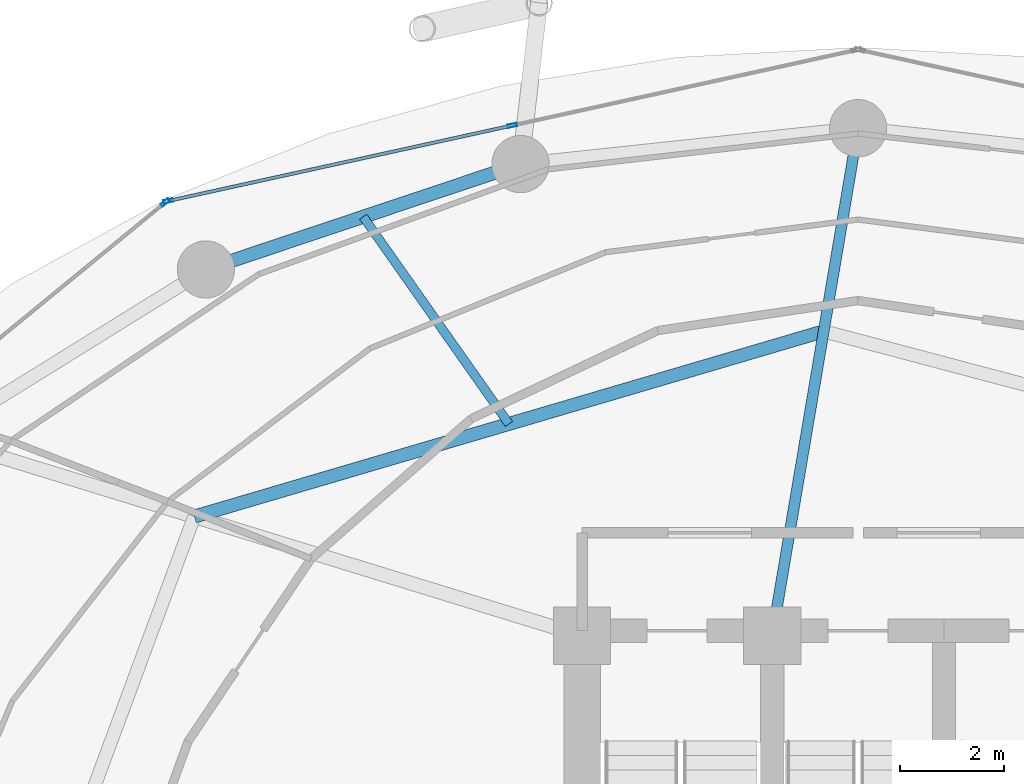
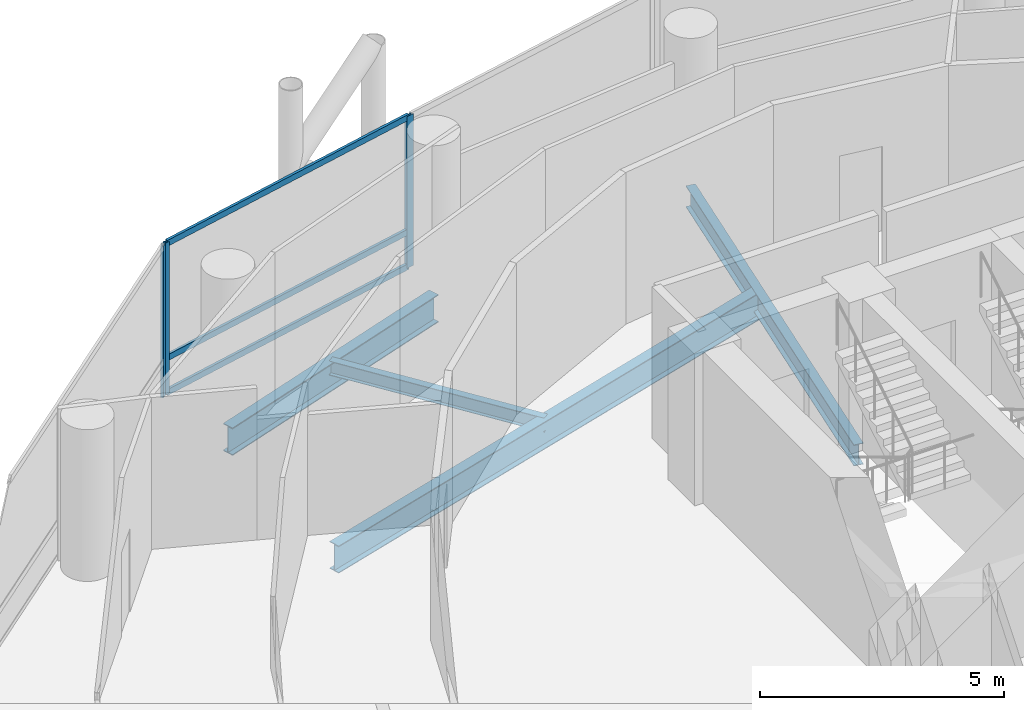
# One storey, part 15 of 26: 6 members, 4 beams, 2 elements without a shape of their own.
"""IFC4 building model written with IfcOpenShell, lengths in metres."""

from ifc_helpers import new_model, si_unit, direction, frame, origin, origin_2d, place, context, subcontext, project, spatial, hollow_rectangle, i_section, extrude, material, layer, layer_set, material_profile, profile_set, type_object, element, aggregate, save


model = new_model("IFC4")

# Units and contexts
model_context = context("Model", 3, precision=1e-05, world=origin(), true_north=direction((0.0, 1.0)))
body_context = subcontext(model_context, "Body", "Model", "MODEL_VIEW")
ifc_project = project(units=[si_unit("LENGTHUNIT", "METRE"), si_unit("AREAUNIT", "SQUARE_METRE"), si_unit("VOLUMEUNIT", "CUBIC_METRE"), si_unit("PLANEANGLEUNIT", "RADIAN"), si_unit("MASSUNIT", "GRAM", prefix="KILO")], contexts=[model_context])

# Site, building, storey
site_placement = place(None, origin())
site = spatial("IfcSite", under=ifc_project, at=site_placement, CompositionType="ELEMENT")
building_placement = place(site_placement, origin())
building = spatial("IfcBuilding", under=site, at=building_placement, Name="Nuhasar Tower", CompositionType="ELEMENT")
storey_placement = place(building_placement, frame((0.0, 0.0, 93.89990234375)))
storey = spatial("IfcBuildingStorey", under=building, at=storey_placement, Name="L22", CompositionType="ELEMENT", Elevation=93.89990234375)

# Beams
ifc_material_1 = material(Name="Steel S355", Category="steel")
ifc_material_profile_1 = material_profile(ifc_material_1, i_section(OverallWidth=0.25390625, OverallDepth=0.68408203125, WebThickness=0.012451171875, FlangeThickness=0.018798828125, at=origin_2d()), Name="W27X94")
ifc_profile_set_1 = profile_set([ifc_material_profile_1], Name="Steel S355")
beam_type_1 = type_object("IfcBeamType", Name="BM-INRING-W27X94", PredefinedType="BEAM", material=ifc_profile_set_1)
beam_1_placement = place(storey_placement, frame((38.340087890625, 43.14990234375, -0.591796875), z_axis=(-0.959290190666, -0.28242225495, 0.0), x_axis=(0.28242225495, -0.959290190666, 0.0)))
element("IfcBeam", 1, at=beam_1_placement, inside=storey, type_object=beam_type_1, Name="L22 Inner Header Beam 06", PredefinedType="BEAM", context=body_context, shape_type="SweptSolid", body=[
    extrude(i_section(OverallWidth=0.25390625, OverallDepth=0.68408203125, WebThickness=0.012451171875, FlangeThickness=0.018798828125, at=origin_2d()), origin(), (0.0, 0.0, 1.0), 12.60107421875),
])
ifc_material_profile_2 = material_profile(ifc_material_1, i_section(OverallWidth=0.1708984375, OverallDepth=0.35205078125, WebThickness=0.0068359375, FlangeThickness=0.009765625, at=origin_2d()), Name="W14X30")
ifc_profile_set_2 = profile_set([ifc_material_profile_2], Name="Steel S355")
beam_type_2 = type_object("IfcBeamType", Name="BM-JST-W14X30", PredefinedType="JOIST", material=ifc_profile_set_2)
beam_2_placement = place(storey_placement, frame((32.2958984375, 41.3701171875, -0.42578125), z_axis=(-0.575461088141, 0.817829160666, 0.0), x_axis=(-0.817829160666, -0.575461088141, 0.0)))
element("IfcBeam", 2, at=beam_2_placement, inside=storey, type_object=beam_type_2, Name="L22 Secondary Floor Joist 06", PredefinedType="JOIST", context=body_context, shape_type="SweptSolid", body=[
    extrude(i_section(OverallWidth=0.1708984375, OverallDepth=0.35205078125, WebThickness=0.0068359375, FlangeThickness=0.009765625, at=origin_2d()), origin(), (0.0, 0.0, 1.0), 4.865234375),
])
ifc_material_profile_3 = material_profile(ifc_material_1, i_section(OverallWidth=0.208984375, OverallDepth=0.532958984375, WebThickness=0.01025390625, FlangeThickness=0.015625, at=origin_2d()), Name="W21X62")
ifc_profile_set_3 = profile_set([ifc_material_profile_3], Name="Steel S355")
beam_type_3 = type_object("IfcBeamType", Name="BM-RAD-W21X62", PredefinedType="BEAM", material=ifc_profile_set_3)
beam_3_placement = place(storey_placement, frame((37.35009765625, 37.300048828125, -0.515869140625), z_axis=(0.166848703013, 0.98598251014, 0.0), x_axis=(-0.98598251014, 0.166848703013, 0.0)))
element("IfcBeam", 3, at=beam_3_placement, inside=storey, type_object=beam_type_3, Name="L22 Radial Floor Girder 06", PredefinedType="BEAM", context=body_context, shape_type="SweptSolid", body=[
    extrude(i_section(OverallWidth=0.208984375, OverallDepth=0.532958984375, WebThickness=0.01025390625, FlangeThickness=0.015625, at=origin_2d()), origin(), (0.0, 0.0, 1.0), 9.888671875),
])
ifc_material_profile_4 = material_profile(ifc_material_1, i_section(OverallWidth=0.256103515625, OverallDepth=0.693115234375, WebThickness=0.014404296875, FlangeThickness=0.023681640625, at=origin_2d()), Name="W27X114")
ifc_profile_set_4 = profile_set([ifc_material_profile_4], Name="Steel S355")
beam_type_4 = type_object("IfcBeamType", Name="BM-RING-W27X114", PredefinedType="SPANDREL", material=ifc_profile_set_4)
beam_4_placement = place(storey_placement, frame((32.51708984375, 46.360107421875, -0.596923828125), z_axis=(-0.948249435708, -0.317526388949, 0.0), x_axis=(0.317526388949, -0.948249435708, 0.0)))
element("IfcBeam", 4, at=beam_4_placement, inside=storey, type_object=beam_type_4, Name="L22 Perimeter Ring Spandrel 08", PredefinedType="SPANDREL", context=body_context, shape_type="SweptSolid", body=[
    extrude(i_section(OverallWidth=0.256103515625, OverallDepth=0.693115234375, WebThickness=0.014404296875, FlangeThickness=0.023681640625, at=origin_2d()), origin(), (0.0, 0.0, 1.0), 6.371826171875),
])

# Curtain wall, members
ifc_material_2 = material(Name="Aluminium 6063-T6", Category="aluminium")
ifc_layer = layer(ifc_material_2, 0.199951171875)
ifc_layer_set = layer_set([ifc_layer], Name="Aluminium 6063-T6")
curtain_wall_type = type_object("IfcCurtainWallType", Name="CW-Z1-OFF", PredefinedType="NOTDEFINED", material=ifc_layer_set)
curtain_wall_1_placement = place(storey_placement, origin())
curtain_wall_1 = element("IfcCurtainWall", 5, at=curtain_wall_1_placement, inside=storey, type_object=curtain_wall_type, Name="L22 Unitised Curtain Wall 04", PredefinedType="NOTDEFINED")
ifc_material_profile_5 = material_profile(ifc_material_2, hollow_rectangle(XDim=0.06494140625, YDim=0.179931640625, WallThickness=0.0048828125, at=origin_2d()), Name="CWM-2")
ifc_profile_set_5 = profile_set([ifc_material_profile_5], Name="Aluminium 6063-T6")
member_type_1 = type_object("IfcMemberType", Name="CW-MUL-S2", PredefinedType="MULLION", material=ifc_profile_set_5)
member_1_placement = place(storey_placement, frame((32.360107421875, 47.1025390625, 0.0), z_axis=(0.0, 0.0, 1.0), x_axis=(0.214398737637, -0.976746221544, 0.0)))
member_1 = element("IfcMember", 6, at=member_1_placement, type_object=member_type_1, Name="CW-Z1 mullion 2", PredefinedType="MULLION", context=body_context, shape_type="SweptSolid", body=[
    extrude(hollow_rectangle(XDim=0.06494140625, YDim=0.179931640625, WallThickness=0.0048828125, at=origin_2d()), origin(), (0.0, 0.0, 1.0), 3.800048828125),
])
member_2_placement = place(storey_placement, frame((25.751708984375, 45.65185546875, 0.0), z_axis=(0.0, 0.0, 1.0), x_axis=(0.214398737637, -0.976746221544, 0.0)))
member_2 = element("IfcMember", 7, at=member_2_placement, type_object=member_type_1, Name="CW-Z1 mullion 3", PredefinedType="MULLION", context=body_context, shape_type="SweptSolid", body=[
    extrude(hollow_rectangle(XDim=0.06494140625, YDim=0.179931640625, WallThickness=0.0048828125, at=origin_2d()), origin(), (0.0, 0.0, 1.0), 3.800048828125),
])

# Curtain wall, member
curtain_wall_2_placement = place(storey_placement, origin())
curtain_wall_2 = element("IfcCurtainWall", 8, at=curtain_wall_2_placement, inside=storey, type_object=curtain_wall_type, Name="L22 Unitised Curtain Wall 05", PredefinedType="NOTDEFINED")
member_3_placement = place(storey_placement, frame((25.69482421875, 45.62451171875, 0.0), z_axis=(0.0, 0.0, 1.0), x_axis=(0.633744593376, -0.773542364946, 0.0)))
member_3 = element("IfcMember", 9, at=member_3_placement, type_object=member_type_1, Name="CW-Z1 mullion 1", PredefinedType="MULLION", context=body_context, shape_type="SweptSolid", body=[
    extrude(hollow_rectangle(XDim=0.06494140625, YDim=0.179931640625, WallThickness=0.0048828125, at=origin_2d()), origin(), (0.0, 0.0, 1.0), 3.800048828125),
])
aggregate(curtain_wall_2, [member_3])

# Member
ifc_material_profile_6 = material_profile(ifc_material_2, hollow_rectangle(XDim=0.06494140625, YDim=0.14990234375, WallThickness=0.00439453125, at=origin_2d()), Name="CWT-2")
ifc_profile_set_6 = profile_set([ifc_material_profile_6], Name="Aluminium 6063-T6")
member_type_2 = type_object("IfcMemberType", Name="CW-TRN-S2", PredefinedType="USERDEFINED", material=ifc_profile_set_6)
member_4_placement = place(storey_placement, frame((32.328369140625, 47.095458984375, 0.03271484375), z_axis=(-0.976749553792, -0.214383556196, 0.0), x_axis=(0.214383556196, -0.976749553792, 0.0)))
member_4 = element("IfcMember", 10, at=member_4_placement, type_object=member_type_2, Name="CW-Z1 transom 2.1", ObjectType="TRANSOM", PredefinedType="USERDEFINED", context=body_context, shape_type="SweptSolid", body=[
    extrude(hollow_rectangle(XDim=0.06494140625, YDim=0.14990234375, WallThickness=0.00439453125, at=origin_2d()), origin(), (0.0, 0.0, 1.0), 6.70068359375),
])

member_5_placement = place(storey_placement, frame((32.328369140625, 47.095458984375, 0.900146484375), z_axis=(-0.976749553792, -0.214383556196, 0.0), x_axis=(0.214383556196, -0.976749553792, 0.0)))
member_5 = element("IfcMember", 11, at=member_5_placement, type_object=member_type_2, Name="CW-Z1 transom 2.2", ObjectType="TRANSOM", PredefinedType="USERDEFINED", context=body_context, shape_type="SweptSolid", body=[
    extrude(hollow_rectangle(XDim=0.06494140625, YDim=0.14990234375, WallThickness=0.00439453125, at=origin_2d()), origin(), (0.0, 0.0, 1.0), 6.70068359375),
])

member_6_placement = place(storey_placement, frame((32.328369140625, 47.095458984375, 3.767578125), z_axis=(-0.976749553792, -0.214383556196, 0.0), x_axis=(0.214383556196, -0.976749553792, 0.0)))
member_6 = element("IfcMember", 12, at=member_6_placement, type_object=member_type_2, Name="CW-Z1 transom 2.3", ObjectType="TRANSOM", PredefinedType="USERDEFINED", context=body_context, shape_type="SweptSolid", body=[
    extrude(hollow_rectangle(XDim=0.06494140625, YDim=0.14990234375, WallThickness=0.00439453125, at=origin_2d()), origin(), (0.0, 0.0, 1.0), 6.70068359375),
])

aggregate(curtain_wall_1, [member_1, member_2, member_4, member_5, member_6])

save(model, "model.ifc")
